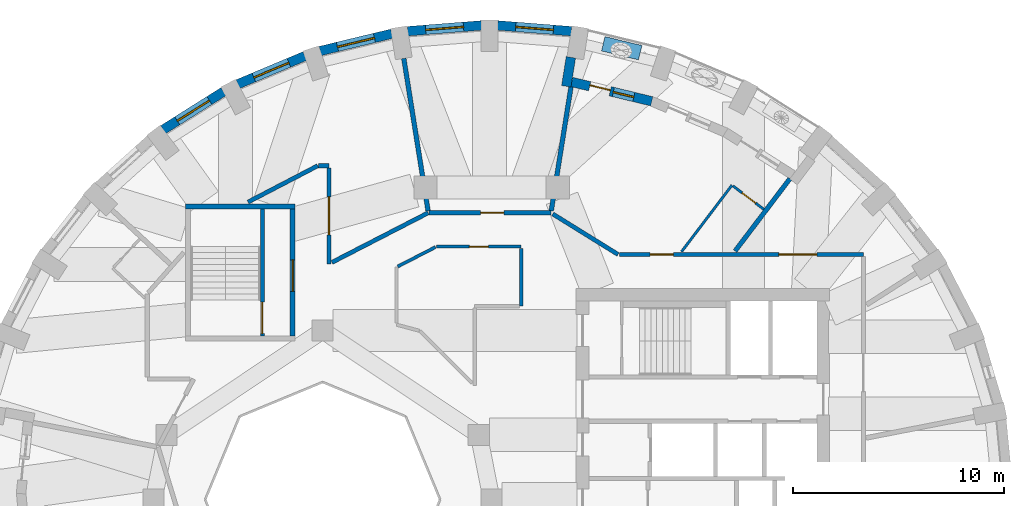
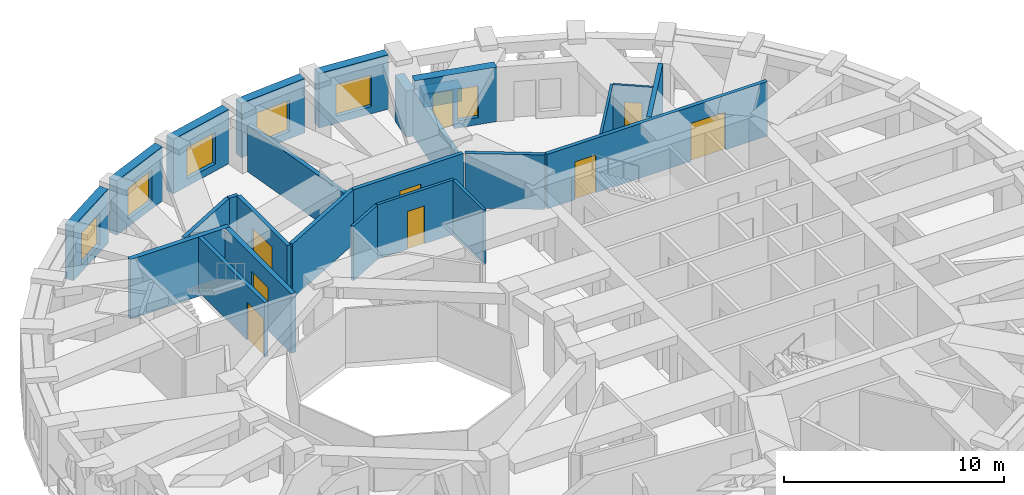
# One storey, part 7 of 12: 26 walls, 9 doors, 6 windows, 15 openings.
"""IFC4 building model written with IfcOpenShell, lengths in metres."""

from ifc_helpers import new_model, si_unit, direction, frame, frame_2d, origin, place, context, subcontext, project, spatial, rectangle, extrude, material, layer, layer_set, constituent, constituent_set, type_object, element, fill, save


model = new_model("IFC4")

# Units and contexts
model_context = context("Model", 3, precision=1e-05, world=origin(), true_north=direction((0.0, 1.0)))
body_context = subcontext(model_context, "Body", "Model", "MODEL_VIEW")
ifc_project = project(units=[si_unit("LENGTHUNIT", "METRE"), si_unit("AREAUNIT", "SQUARE_METRE"), si_unit("VOLUMEUNIT", "CUBIC_METRE"), si_unit("PLANEANGLEUNIT", "RADIAN"), si_unit("MASSUNIT", "GRAM", prefix="KILO")], contexts=[model_context])

# Site, building, storey
site_placement = place(None, origin())
site = spatial("IfcSite", under=ifc_project, at=site_placement, CompositionType="ELEMENT")
building_placement = place(site_placement, origin())
building = spatial("IfcBuilding", under=site, at=building_placement, Name="Taillehof Tower", CompositionType="ELEMENT")
storey_placement = place(building_placement, frame((0.0, 0.0, 239.89990234375)))
storey = spatial("IfcBuildingStorey", under=building, at=storey_placement, Name="L68", CompositionType="ELEMENT", Elevation=239.89990234375)

# Wall, opening, window
ifc_material_1 = material(Name="Brick masonry", Category="masonry")
ifc_layer_1 = layer(ifc_material_1, 0.449951171875)
ifc_layer_set_1 = layer_set([ifc_layer_1], Name="Brick infill wall 450")
wall_type_1 = type_object("IfcWallType", Name="Brick infill wall 450", PredefinedType="SOLIDWALL", material=ifc_layer_set_1)
wall_1_placement = place(storey_placement, frame((3.778564453125, 22.168701171875, 0.0), z_axis=(0.0, 0.0, 1.0), x_axis=(-0.996910775835, 0.078542377245, 0.0)))
wall_1 = element("IfcWall", 1, at=wall_1_placement, inside=storey, type_object=wall_type_1, Name="Brick wall L68 bay 9", PredefinedType="SOLIDWALL", context=body_context, shape_type="SweptSolid", body=[
    extrude(rectangle(XDim=3.50927734375, YDim=0.449951171875, at=frame_2d((1.754638671875, 0.0))), origin(), (0.0, 0.0, 1.0), 3.02001953125),
])
opening_1_placement = place(wall_1_placement, frame((0.854736328125, 0.0, 0.39990234375)))
opening_1 = element("IfcOpeningElement", 2, at=opening_1_placement, cuts=wall_1, Name="Opening W4", PredefinedType="OPENING", context=body_context, shape_type="SweptSolid", body=[
    extrude(rectangle(XDim=1.800048828125, YDim=1.75, at=frame_2d((0.89990234375, 0.875))), frame((0.0, 0.23486328125, 0.0), z_axis=(0.0, -1.0, 0.0), x_axis=(1.0, 0.0, 0.0)), (0.0, 0.0, 1.0), 0.469970703125),
])
ifc_material_2 = material(Name="Aluminium window frame with clear double glazing", Category="aluminium")
window_type_1 = type_object("IfcWindowType", Name="Deep-set window 1800x1750", PartitioningType="SINGLE_PANEL", PredefinedType="WINDOW", material=ifc_material_2)
window_1_placement = place(opening_1_placement, origin())
window_1 = element("IfcWindow", 3, at=window_1_placement, inside=storey, type_object=window_type_1, Name="W4", OverallHeight=1.75, OverallWidth=1.800048828125, PartitioningType="SINGLE_PANEL", PredefinedType="WINDOW", context=body_context, shape_type="SweptSolid", body=[
    extrude(rectangle(XDim=1.800048828125, YDim=1.75, at=frame_2d((0.89990234375, 0.875))), frame((0.0, 0.034912109375, 0.0), z_axis=(0.0, -1.0, 0.0), x_axis=(1.0, 0.0, 0.0)), (0.0, 0.0, 1.0), 0.06005859375),
])
fill(opening_1, window_1)

wall_2_placement = place(storey_placement, frame((-0.47998046875, 22.4443359375, 0.0), z_axis=(0.0, 0.0, 1.0), x_axis=(-0.996910775835, -0.078542377245, 0.0)))
wall_2 = element("IfcWall", 4, at=wall_2_placement, inside=storey, type_object=wall_type_1, Name="Brick wall L68 bay 10", PredefinedType="SOLIDWALL", context=body_context, shape_type="SweptSolid", body=[
    extrude(rectangle(XDim=3.50927734375, YDim=0.449951171875, at=frame_2d((1.754638671875, 0.0))), origin(), (0.0, 0.0, 1.0), 3.02001953125),
])
opening_2_placement = place(wall_2_placement, frame((0.854736328125, 0.0, 0.39990234375)))
opening_2 = element("IfcOpeningElement", 5, at=opening_2_placement, cuts=wall_2, Name="Opening W4", PredefinedType="OPENING", context=body_context, shape_type="SweptSolid", body=[
    extrude(rectangle(XDim=1.800048828125, YDim=1.75, at=frame_2d((0.89990234375, 0.875))), frame((0.0, 0.23486328125, 0.0), z_axis=(0.0, -1.0, 0.0), x_axis=(1.0, 0.0, 0.0)), (0.0, 0.0, 1.0), 0.469970703125),
])
window_2_placement = place(opening_2_placement, origin())
window_2 = element("IfcWindow", 6, at=window_2_placement, inside=storey, type_object=window_type_1, Name="W4", OverallHeight=1.75, OverallWidth=1.800048828125, PartitioningType="SINGLE_PANEL", PredefinedType="WINDOW", context=body_context, shape_type="SweptSolid", body=[
    extrude(rectangle(XDim=1.800048828125, YDim=1.75, at=frame_2d((0.89990234375, 0.875))), frame((0.0, 0.034912109375, 0.0), z_axis=(0.0, -1.0, 0.0), x_axis=(1.0, 0.0, 0.0)), (0.0, 0.0, 1.0), 0.06005859375),
])
fill(opening_2, window_2)

wall_3_placement = place(storey_placement, frame((-4.729248046875, 22.049560546875, 0.0), z_axis=(0.0, 0.0, 1.0), x_axis=(-0.972099278496, -0.23456980357, 0.0)))
wall_3 = element("IfcWall", 7, at=wall_3_placement, inside=storey, type_object=wall_type_1, Name="Brick wall L68 bay 11", PredefinedType="SOLIDWALL", context=body_context, shape_type="SweptSolid", body=[
    extrude(rectangle(XDim=3.486572265625, YDim=0.449951171875, at=frame_2d((1.7431640625, 0.0))), origin(), (0.0, 0.0, 1.0), 3.02001953125),
])
opening_3_placement = place(wall_3_placement, frame((0.84326171875, 0.0, 0.39990234375)))
opening_3 = element("IfcOpeningElement", 8, at=opening_3_placement, cuts=wall_3, Name="Opening W4", PredefinedType="OPENING", context=body_context, shape_type="SweptSolid", body=[
    extrude(rectangle(XDim=1.800048828125, YDim=1.75, at=frame_2d((0.89990234375, 0.875))), frame((0.0, 0.23486328125, 0.0), z_axis=(0.0, -1.0, 0.0), x_axis=(1.0, 0.0, 0.0)), (0.0, 0.0, 1.0), 0.469970703125),
])
window_3_placement = place(opening_3_placement, origin())
window_3 = element("IfcWindow", 9, at=window_3_placement, inside=storey, type_object=window_type_1, Name="W4", OverallHeight=1.75, OverallWidth=1.800048828125, PartitioningType="SINGLE_PANEL", PredefinedType="WINDOW", context=body_context, shape_type="SweptSolid", body=[
    extrude(rectangle(XDim=1.800048828125, YDim=1.75, at=frame_2d((0.89990234375, 0.875))), frame((0.0, 0.034912109375, 0.0), z_axis=(0.0, -1.0, 0.0), x_axis=(1.0, 0.0, 0.0)), (0.0, 0.0, 1.0), 0.06005859375),
])
fill(opening_3, window_3)

wall_4_placement = place(storey_placement, frame((-8.8408203125, 20.994873046875, 0.0), z_axis=(0.0, 0.0, 1.0), x_axis=(-0.922024627475, -0.387131226239, 0.0)))
wall_4 = element("IfcWall", 10, at=wall_4_placement, inside=storey, type_object=wall_type_1, Name="Brick wall L68 bay 12", PredefinedType="SOLIDWALL", context=body_context, shape_type="SweptSolid", body=[
    extrude(rectangle(XDim=3.443359375, YDim=0.449951171875, at=frame_2d((1.7216796875, 0.0))), origin(), (0.0, 0.0, 1.0), 3.02001953125),
])
opening_4_placement = place(wall_4_placement, frame((0.82177734375, 0.0, 0.39990234375)))
opening_4 = element("IfcOpeningElement", 11, at=opening_4_placement, cuts=wall_4, Name="Opening W4", PredefinedType="OPENING", context=body_context, shape_type="SweptSolid", body=[
    extrude(rectangle(XDim=1.800048828125, YDim=1.75, at=frame_2d((0.89990234375, 0.875))), frame((0.0, 0.23486328125, 0.0), z_axis=(0.0, -1.0, 0.0), x_axis=(1.0, 0.0, 0.0)), (0.0, 0.0, 1.0), 0.469970703125),
])
window_4_placement = place(opening_4_placement, origin())
window_4 = element("IfcWindow", 12, at=window_4_placement, inside=storey, type_object=window_type_1, Name="W4", OverallHeight=1.75, OverallWidth=1.800048828125, PartitioningType="SINGLE_PANEL", PredefinedType="WINDOW", context=body_context, shape_type="SweptSolid", body=[
    extrude(rectangle(XDim=1.800048828125, YDim=1.75, at=frame_2d((0.89990234375, 0.875))), frame((0.0, 0.034912109375, 0.0), z_axis=(0.0, -1.0, 0.0), x_axis=(1.0, 0.0, 0.0)), (0.0, 0.0, 1.0), 0.06005859375),
])
fill(opening_4, window_4)

wall_5_placement = place(storey_placement, frame((-12.68994140625, 19.31103515625, 0.0), z_axis=(0.0, 0.0, 1.0), x_axis=(-0.845929139811, -0.53329531258, 0.0)))
wall_5 = element("IfcWall", 13, at=wall_5_placement, inside=storey, type_object=wall_type_1, Name="Brick wall L68 bay 13", PredefinedType="SOLIDWALL", context=body_context, shape_type="SweptSolid", body=[
    extrude(rectangle(XDim=3.384521484375, YDim=0.449951171875, at=frame_2d((1.6923828125, 0.0))), origin(), (0.0, 0.0, 1.0), 3.02001953125),
])
opening_5_placement = place(wall_5_placement, frame((0.792236328125, 0.0, 0.39990234375)))
opening_5 = element("IfcOpeningElement", 14, at=opening_5_placement, cuts=wall_5, Name="Opening W4", PredefinedType="OPENING", context=body_context, shape_type="SweptSolid", body=[
    extrude(rectangle(XDim=1.800048828125, YDim=1.75, at=frame_2d((0.89990234375, 0.875))), frame((0.0, 0.23486328125, 0.0), z_axis=(0.0, -1.0, 0.0), x_axis=(1.0, 0.0, 0.0)), (0.0, 0.0, 1.0), 0.469970703125),
])
window_5_placement = place(opening_5_placement, origin())
window_5 = element("IfcWindow", 15, at=window_5_placement, inside=storey, type_object=window_type_1, Name="W4", OverallHeight=1.75, OverallWidth=1.800048828125, PartitioningType="SINGLE_PANEL", PredefinedType="WINDOW", context=body_context, shape_type="SweptSolid", body=[
    extrude(rectangle(XDim=1.800048828125, YDim=1.75, at=frame_2d((0.89990234375, 0.875))), frame((0.0, 0.034912109375, 0.0), z_axis=(0.0, -1.0, 0.0), x_axis=(1.0, 0.0, 0.0)), (0.0, 0.0, 1.0), 0.06005859375),
])
fill(opening_5, window_5)

# Wall
wall_6_placement = place(storey_placement, frame((3.75146484375, 20.93359375, 0.0), z_axis=(0.0, 0.0, 1.0), x_axis=(-0.157189016474, -0.9875685359, 0.0)))
element("IfcWall", 16, at=wall_6_placement, inside=storey, type_object=wall_type_1, Name="Brick reveal L68 pocket 1", PredefinedType="SOLIDWALL", context=body_context, shape_type="SweptSolid", body=[
    extrude(rectangle(XDim=1.39013671875, YDim=0.449951171875, at=frame_2d((0.695068359375, 0.0))), origin(), (0.0, 0.0, 1.0), 2.570068359375),
])

# Wall, openings, door, window
wall_7_placement = place(storey_placement, frame((7.57958984375, 18.8505859375, 0.0), z_axis=(0.0, 0.0, 1.0), x_axis=(-0.97195784986, 0.235155136231, 0.0)))
wall_7 = element("IfcWall", 17, at=wall_7_placement, inside=storey, type_object=wall_type_1, Name="Brick wall L68 pocket bay 8", PredefinedType="SOLIDWALL", context=body_context, shape_type="SweptSolid", body=[
    extrude(rectangle(XDim=3.895263671875, YDim=0.449951171875, at=frame_2d((1.94775390625, 0.0))), origin(), (0.0, 0.0, 1.0), 3.02001953125),
])
opening_6_placement = place(wall_7_placement, frame((0.872802734375, 0.0, 0.39990234375)))
opening_6 = element("IfcOpeningElement", 18, at=opening_6_placement, cuts=wall_7, Name="Opening W5", PredefinedType="OPENING", context=body_context, shape_type="SweptSolid", body=[
    extrude(rectangle(XDim=1.0, YDim=1.75, at=frame_2d((0.5, 0.875))), frame((0.0, 0.23486328125, 0.0), z_axis=(0.0, -1.0, 0.0), x_axis=(1.0, 0.0, 0.0)), (0.0, 0.0, 1.0), 0.469970703125),
])
opening_7_placement = place(wall_7_placement, frame((2.022705078125, 0.0, 0.0)))
opening_7 = element("IfcOpeningElement", 19, at=opening_7_placement, cuts=wall_7, Name="Opening D6896", PredefinedType="OPENING", context=body_context, shape_type="SweptSolid", body=[
    extrude(rectangle(XDim=1.0, YDim=2.14990234375, at=frame_2d((0.5, 1.074951171875))), frame((0.0, 0.23486328125, 0.0), z_axis=(0.0, -1.0, 0.0), x_axis=(1.0, 0.0, 0.0)), (0.0, 0.0, 1.0), 0.469970703125),
])
ifc_material_3 = material(Name="Aluminium door frame with clear double glazing", Category="aluminium")
door_type_1 = type_object("IfcDoorType", Name="Balcony door 1000x2150", OperationType="SINGLE_SWING_RIGHT", PredefinedType="DOOR", material=ifc_material_3)
door_1_placement = place(opening_7_placement, frame((1.0, 0.0, 0.0), z_axis=(0.0, 0.0, 1.0), x_axis=(-1.0, 0.0, 0.0)))
door_1 = element("IfcDoor", 20, at=door_1_placement, inside=storey, type_object=door_type_1, Name="Balcony door L68 bay 8", OperationType="SINGLE_SWING_LEFT", OverallHeight=2.14990234375, OverallWidth=1.0, PredefinedType="DOOR", context=body_context, shape_type="SweptSolid", body=[
    extrude(rectangle(XDim=1.0, YDim=2.14990234375, at=frame_2d((0.5, 1.074951171875))), frame((0.0, 0.0751953125, 0.0), z_axis=(0.0, -1.0, 0.0), x_axis=(1.0, 0.0, 0.0)), (0.0, 0.0, 1.0), 0.050048828125),
])
fill(opening_7, door_1)
ifc_material_4 = material(Name="Aluminium window frame with clear double glazing", Category="aluminium")
window_type_2 = type_object("IfcWindowType", Name="Fixed window 1000x1750", PartitioningType="SINGLE_PANEL", PredefinedType="WINDOW", material=ifc_material_4)
window_6_placement = place(opening_6_placement, origin())
window_6 = element("IfcWindow", 21, at=window_6_placement, inside=storey, type_object=window_type_2, Name="W5", OverallHeight=1.75, OverallWidth=1.0, PartitioningType="SINGLE_PANEL", PredefinedType="WINDOW", context=body_context, shape_type="SweptSolid", body=[
    extrude(rectangle(XDim=1.0, YDim=1.75, at=frame_2d((0.5, 0.875))), frame((0.0, 0.034912109375, 0.0), z_axis=(0.0, -1.0, 0.0), x_axis=(1.0, 0.0, 0.0)), (0.0, 0.0, 1.0), 0.06005859375),
])
fill(opening_6, window_6)

# Walls
ifc_material_5 = material(Name="Gypsum board on steel studs, two layers each side", Category="steel")
ifc_layer_2 = layer(ifc_material_5, 0.199951171875)
ifc_layer_set_2 = layer_set([ifc_layer_2], Name="Compartment wall corridor 200")
wall_type_2 = type_object("IfcWallType", Name="Compartment wall corridor 200", PredefinedType="PARTITIONING", material=ifc_layer_set_2)
wall_8_placement = place(storey_placement, frame((-11.53369140625, 14.080810546875, 0.0), z_axis=(0.0, 0.0, 1.0), x_axis=(0.886975089277, 0.461817270143, 0.0)))
element("IfcWall", 22, at=wall_8_placement, inside=storey, type_object=wall_type_2, Name="Compartment wall", PredefinedType="PARTITIONING", context=body_context, shape_type="SweptSolid", body=[
    extrude(rectangle(XDim=3.72265625, YDim=0.199951171875, at=frame_2d((1.861328125, 0.0))), origin(), (0.0, 0.0, 1.0), 3.02001953125),
])
wall_9_placement = place(storey_placement, frame((-8.191650390625, 15.800048828125, 0.0), z_axis=(0.0, 0.0, 1.0), x_axis=(1.0, 0.0, 0.0)))
element("IfcWall", 23, at=wall_9_placement, inside=storey, type_object=wall_type_2, Name="Compartment wall", PredefinedType="PARTITIONING", context=body_context, shape_type="SweptSolid", body=[
    extrude(rectangle(XDim=0.49169921875, YDim=0.199951171875, at=frame_2d((0.245849609375, 0.0))), origin(), (0.0, 0.0, 1.0), 3.02001953125),
])

# Wall, opening, door
wall_10_placement = place(storey_placement, frame((-7.699951171875, 15.699951171875, 0.0), z_axis=(0.0, 0.0, 1.0), x_axis=(0.0, -1.0, 0.0)))
wall_10 = element("IfcWall", 24, at=wall_10_placement, inside=storey, type_object=wall_type_2, Name="Compartment wall", PredefinedType="PARTITIONING", context=body_context, shape_type="SweptSolid", body=[
    extrude(rectangle(XDim=4.546875, YDim=0.199951171875, at=frame_2d((2.2734375, 0.0))), origin(), (0.0, 0.0, 1.0), 3.02001953125),
])
opening_8_placement = place(wall_10_placement, frame((1.37353515625, 0.0, 0.0)))
opening_8 = element("IfcOpeningElement", 25, at=opening_8_placement, cuts=wall_10, Name="Opening D6843", PredefinedType="OPENING", context=body_context, shape_type="SweptSolid", body=[
    extrude(rectangle(XDim=1.800048828125, YDim=2.10009765625, at=frame_2d((0.89990234375, 1.050048828125))), frame((0.0, 0.10986328125, 0.0), z_axis=(0.0, -1.0, 0.0), x_axis=(1.0, 0.0, 0.0)), (0.0, 0.0, 1.0), 0.219970703125),
])
ifc_material_6 = material(Name="Timber door leaf in steel frame", Category="steel")
door_type_2 = type_object("IfcDoorType", Name="Lounge and meeting room double door EI 30 1800 x 2100", OperationType="SINGLE_SWING_LEFT", PredefinedType="DOOR", material=ifc_material_6)
door_2_placement = place(opening_8_placement, origin())
door_2 = element("IfcDoor", 26, at=door_2_placement, inside=storey, type_object=door_type_2, Name="D6843", OperationType="DOUBLE_DOOR_SINGLE_SWING", OverallHeight=2.10009765625, OverallWidth=1.800048828125, PredefinedType="DOOR", context=body_context, shape_type="SweptSolid", body=[
    extrude(rectangle(XDim=1.800048828125, YDim=2.10009765625, at=frame_2d((0.89990234375, 1.050048828125))), frame((0.0, 0.02490234375, 0.0), z_axis=(0.0, -1.0, 0.0), x_axis=(1.0, 0.0, 0.0)), (0.0, 0.0, 1.0), 0.050048828125),
])
fill(opening_8, door_2)

# Wall
wall_11_placement = place(storey_placement, frame((-7.557373046875, 11.227294921875, 0.0), z_axis=(0.0, 0.0, 1.0), x_axis=(0.889060449642, 0.457789817364, 0.0)))
element("IfcWall", 27, at=wall_11_placement, inside=storey, type_object=wall_type_2, Name="Compartment wall", PredefinedType="PARTITIONING", context=body_context, shape_type="SweptSolid", body=[
    extrude(rectangle(XDim=5.11865234375, YDim=0.199951171875, at=frame_2d((2.559326171875, 0.0))), origin(), (0.0, 0.0, 1.0), 3.02001953125),
])

# Wall, opening, door
wall_12_placement = place(storey_placement, frame((-2.966552734375, 13.570556640625, 0.0), z_axis=(0.0, 0.0, 1.0), x_axis=(1.0, 0.0, 0.0)))
wall_12 = element("IfcWall", 28, at=wall_12_placement, inside=storey, type_object=wall_type_2, Name="Compartment wall", PredefinedType="PARTITIONING", context=body_context, shape_type="SweptSolid", body=[
    extrude(rectangle(XDim=5.773193359375, YDim=0.199951171875, at=frame_2d((2.88671875, 0.0))), origin(), (0.0, 0.0, 1.0), 3.02001953125),
])
opening_9_placement = place(wall_12_placement, frame((2.441162109375, 0.0, 0.0)))
opening_9 = element("IfcOpeningElement", 29, at=opening_9_placement, cuts=wall_12, Name="Opening D6842", PredefinedType="OPENING", context=body_context, shape_type="SweptSolid", body=[
    extrude(rectangle(XDim=1.10009765625, YDim=2.10009765625, at=frame_2d((0.550048828125, 1.050048828125))), frame((0.0, 0.10986328125, 0.0), z_axis=(0.0, -1.0, 0.0), x_axis=(1.0, 0.0, 0.0)), (0.0, 0.0, 1.0), 0.219970703125),
])
ifc_material_7 = material(Name="Timber door leaf in steel frame", Category="steel")
door_type_3 = type_object("IfcDoorType", Name="Suite entrance door EI 30 1100 x 2100", OperationType="SINGLE_SWING_LEFT", PredefinedType="DOOR", material=ifc_material_7)
door_3_placement = place(opening_9_placement, origin())
door_3 = element("IfcDoor", 30, at=door_3_placement, inside=storey, type_object=door_type_3, Name="D6842", OperationType="SINGLE_SWING_RIGHT", OverallHeight=2.10009765625, OverallWidth=1.10009765625, PredefinedType="DOOR", context=body_context, shape_type="SweptSolid", body=[
    extrude(rectangle(XDim=1.10009765625, YDim=2.10009765625, at=frame_2d((0.550048828125, 1.050048828125))), frame((0.0, 0.02490234375, 0.0), z_axis=(0.0, -1.0, 0.0), x_axis=(1.0, 0.0, 0.0)), (0.0, 0.0, 1.0), 0.050048828125),
])
fill(opening_9, door_3)

# Wall
wall_13_placement = place(storey_placement, frame((2.89208984375, 13.51806640625, 0.0), z_axis=(0.0, 0.0, 1.0), x_axis=(0.849866037624, -0.526998783769, 0.0)))
element("IfcWall", 31, at=wall_13_placement, inside=storey, type_object=wall_type_2, Name="Compartment wall", PredefinedType="PARTITIONING", context=body_context, shape_type="SweptSolid", body=[
    extrude(rectangle(XDim=3.639404296875, YDim=0.199951171875, at=frame_2d((1.81982421875, 0.0))), origin(), (0.0, 0.0, 1.0), 3.02001953125),
])

# Wall, openings, doors
wall_14_placement = place(storey_placement, frame((6.045166015625, 11.60009765625, 0.0), z_axis=(0.0, 0.0, 1.0), x_axis=(1.0, 0.0, 0.0)))
wall_14 = element("IfcWall", 32, at=wall_14_placement, inside=storey, type_object=wall_type_2, Name="Compartment wall", PredefinedType="PARTITIONING", context=body_context, shape_type="SweptSolid", body=[
    extrude(rectangle(XDim=11.554931640625, YDim=0.199951171875, at=frame_2d((5.77734375, 0.0))), origin(), (0.0, 0.0, 1.0), 3.02001953125),
])
opening_10_placement = place(wall_14_placement, frame((1.4609375, 0.0, 0.0)))
opening_10 = element("IfcOpeningElement", 33, at=opening_10_placement, cuts=wall_14, Name="Opening D6840", PredefinedType="OPENING", context=body_context, shape_type="SweptSolid", body=[
    extrude(rectangle(XDim=1.10009765625, YDim=2.10009765625, at=frame_2d((0.550048828125, 1.050048828125))), frame((0.0, 0.10986328125, 0.0), z_axis=(0.0, -1.0, 0.0), x_axis=(1.0, 0.0, 0.0)), (0.0, 0.0, 1.0), 0.219970703125),
])
opening_11_placement = place(wall_14_placement, frame((7.548828125, 0.0, 0.0)))
opening_11 = element("IfcOpeningElement", 34, at=opening_11_placement, cuts=wall_14, Name="Opening D6857", PredefinedType="OPENING", context=body_context, shape_type="SweptSolid", body=[
    extrude(rectangle(XDim=1.800048828125, YDim=2.10009765625, at=frame_2d((0.89990234375, 1.050048828125))), frame((0.0, 0.10986328125, 0.0), z_axis=(0.0, -1.0, 0.0), x_axis=(1.0, 0.0, 0.0)), (0.0, 0.0, 1.0), 0.219970703125),
])
door_4_placement = place(opening_11_placement, origin())
door_4 = element("IfcDoor", 35, at=door_4_placement, inside=storey, type_object=door_type_2, Name="D6857", OperationType="DOUBLE_DOOR_SINGLE_SWING", OverallHeight=2.10009765625, OverallWidth=1.800048828125, PredefinedType="DOOR", context=body_context, shape_type="SweptSolid", body=[
    extrude(rectangle(XDim=1.800048828125, YDim=2.10009765625, at=frame_2d((0.89990234375, 1.050048828125))), frame((0.0, 0.02490234375, 0.0), z_axis=(0.0, -1.0, 0.0), x_axis=(1.0, 0.0, 0.0)), (0.0, 0.0, 1.0), 0.050048828125),
])
fill(opening_11, door_4)
door_5_placement = place(opening_10_placement, origin())
door_5 = element("IfcDoor", 36, at=door_5_placement, inside=storey, type_object=door_type_3, Name="D6840", OperationType="SINGLE_SWING_RIGHT", OverallHeight=2.10009765625, OverallWidth=1.10009765625, PredefinedType="DOOR", context=body_context, shape_type="SweptSolid", body=[
    extrude(rectangle(XDim=1.10009765625, YDim=2.10009765625, at=frame_2d((0.550048828125, 1.050048828125))), frame((0.0, 0.02490234375, 0.0), z_axis=(0.0, -1.0, 0.0), x_axis=(1.0, 0.0, 0.0)), (0.0, 0.0, 1.0), 0.050048828125),
])
fill(opening_10, door_5)

# Walls
ifc_material_8 = material(Name="Gypsum board on double steel studs with mineral wool", Category="steel")
ifc_layer_3 = layer(ifc_material_8, 0.219970703125)
ifc_layer_set_3 = layer_set([ifc_layer_3], Name="Compartment wall guest room 220")
wall_type_3 = type_object("IfcWallType", Name="Compartment wall guest room 220", PredefinedType="PARTITIONING", material=ifc_layer_set_3)
wall_15_placement = place(storey_placement, frame((14.11865234375, 15.186767578125, 0.0), z_axis=(0.0, 0.0, 1.0), x_axis=(-0.604075434344, -0.796927141978, 0.0)))
element("IfcWall", 37, at=wall_15_placement, inside=storey, type_object=wall_type_3, Name="Compartment wall", PredefinedType="PARTITIONING", context=body_context, shape_type="SweptSolid", body=[
    extrude(rectangle(XDim=4.29541015625, YDim=0.219970703125, at=frame_2d((2.147705078125, 0.0))), origin(), (0.0, 0.0, 1.0), 3.02001953125),
])
wall_16_placement = place(storey_placement, frame((3.758056640625, 19.543701171875, 0.0), z_axis=(0.0, 0.0, 1.0), x_axis=(-0.157279717869, -0.987554094897, 0.0)))
element("IfcWall", 38, at=wall_16_placement, inside=storey, type_object=wall_type_3, Name="Compartment wall", PredefinedType="PARTITIONING", context=body_context, shape_type="SweptSolid", body=[
    extrude(rectangle(XDim=5.9482421875, YDim=0.219970703125, at=frame_2d((2.97412109375, 0.0))), origin(), (0.0, 0.0, 1.0), 2.570068359375),
])
wall_17_placement = place(storey_placement, frame((-4.158203125, 20.88037109375, 0.0), z_axis=(0.0, 0.0, 1.0), x_axis=(0.157260291638, -0.987557188559, 0.0)))
element("IfcWall", 39, at=wall_17_placement, inside=storey, type_object=wall_type_3, Name="Compartment wall", PredefinedType="PARTITIONING", context=body_context, shape_type="SweptSolid", body=[
    extrude(rectangle(XDim=7.302734375, YDim=0.219970703125, at=frame_2d((3.6513671875, 0.0))), origin(), (0.0, 0.0, 1.0), 2.570068359375),
])

# Wall, opening, door
ifc_material_9 = material(Name="Gypsum board on steel studs, two layers each side", Category="steel")
ifc_layer_4 = layer(ifc_material_9, 0.14990234375)
ifc_layer_set_4 = layer_set([ifc_layer_4], Name="Compartment wall service room 150")
wall_type_4 = type_object("IfcWallType", Name="Compartment wall service room 150", PredefinedType="PARTITIONING", material=ifc_layer_set_4)
wall_18_placement = place(storey_placement, frame((-2.618896484375, 11.970458984375, 0.0), z_axis=(0.0, 0.0, 1.0), x_axis=(1.0, 0.0, 0.0)))
wall_18 = element("IfcWall", 40, at=wall_18_placement, inside=storey, type_object=wall_type_4, Name="Compartment wall", PredefinedType="PARTITIONING", context=body_context, shape_type="SweptSolid", body=[
    extrude(rectangle(XDim=4.018798828125, YDim=0.14990234375, at=frame_2d((2.00927734375, 0.0))), origin(), (0.0, 0.0, 1.0), 3.02001953125),
])
opening_12_placement = place(wall_18_placement, frame((1.559326171875, 0.0, 0.0)))
opening_12 = element("IfcOpeningElement", 41, at=opening_12_placement, cuts=wall_18, Name="Opening D6858", PredefinedType="OPENING", context=body_context, shape_type="SweptSolid", body=[
    extrude(rectangle(XDim=0.89990234375, YDim=2.10009765625, at=frame_2d((0.449951171875, 1.050048828125))), frame((0.0, 0.0849609375, 0.0), z_axis=(0.0, -1.0, 0.0), x_axis=(1.0, 0.0, 0.0)), (0.0, 0.0, 1.0), 0.169921875),
])
ifc_material_10 = material(Name="Timber door leaf in steel frame", Category="steel")
door_type_4 = type_object("IfcDoorType", Name="Service room door EI 30 900 x 2100", OperationType="SINGLE_SWING_LEFT", PredefinedType="DOOR", material=ifc_material_10)
door_6_placement = place(opening_12_placement, origin())
door_6 = element("IfcDoor", 42, at=door_6_placement, inside=storey, type_object=door_type_4, Name="D6858", OperationType="SINGLE_SWING_RIGHT", OverallHeight=2.10009765625, OverallWidth=0.89990234375, PredefinedType="DOOR", context=body_context, shape_type="SweptSolid", body=[
    extrude(rectangle(XDim=0.89990234375, YDim=2.10009765625, at=frame_2d((0.449951171875, 1.050048828125))), frame((0.0, 0.02490234375, 0.0), z_axis=(0.0, -1.0, 0.0), x_axis=(1.0, 0.0, 0.0)), (0.0, 0.0, 1.0), 0.050048828125),
])
fill(opening_12, door_6)

# Walls
wall_19_placement = place(storey_placement, frame((1.39990234375, 11.890380859375, 0.0), z_axis=(0.0, 0.0, 1.0), x_axis=(0.0, -1.0, 0.0)))
element("IfcWall", 43, at=wall_19_placement, inside=storey, type_object=wall_type_4, Name="Compartment wall", PredefinedType="PARTITIONING", context=body_context, shape_type="SweptSolid", body=[
    extrude(rectangle(XDim=2.740478515625, YDim=0.14990234375, at=frame_2d((1.3701171875, 0.0))), origin(), (0.0, 0.0, 1.0), 3.02001953125),
])
wall_20_placement = place(storey_placement, frame((-4.446533203125, 11.029296875, 0.0), z_axis=(0.0, 0.0, 1.0), x_axis=(0.88908361723, 0.457744821459, 0.0)))
element("IfcWall", 44, at=wall_20_placement, inside=storey, type_object=wall_type_4, Name="Compartment wall", PredefinedType="PARTITIONING", context=body_context, shape_type="SweptSolid", body=[
    extrude(rectangle(XDim=2.015625, YDim=0.14990234375, at=frame_2d((1.0078125, 0.0))), origin(), (0.0, 0.0, 1.0), 3.02001953125),
])
ifc_material_11 = material(Name="Gypsum board on steel studs, moisture resistant", Category="steel")
ifc_layer_5 = layer(ifc_material_11, 0.1201171875)
ifc_layer_set_5 = layer_set([ifc_layer_5], Name="En-suite wall 120")
wall_type_5 = type_object("IfcWallType", Name="En-suite wall 120", PredefinedType="PARTITIONING", material=ifc_layer_set_5)
wall_21_placement = place(storey_placement, frame((8.990478515625, 11.73193359375, 0.0), z_axis=(0.0, 0.0, 1.0), x_axis=(0.604075378366, 0.79692718441, 0.0)))
element("IfcWall", 45, at=wall_21_placement, inside=storey, type_object=wall_type_5, Name="En-suite wall", PredefinedType="PARTITIONING", context=body_context, shape_type="SweptSolid", body=[
    extrude(rectangle(XDim=3.950927734375, YDim=0.1201171875, at=frame_2d((1.9755859375, 0.0))), origin(), (0.0, 0.0, 1.0), 3.02001953125),
])

# Wall, opening, door
wall_22_placement = place(storey_placement, frame((11.425048828125, 14.844482421875, 0.0), z_axis=(0.0, 0.0, 1.0), x_axis=(0.796899454755, -0.604111959004, 0.0)))
wall_22 = element("IfcWall", 46, at=wall_22_placement, inside=storey, type_object=wall_type_5, Name="En-suite wall", PredefinedType="PARTITIONING", context=body_context, shape_type="SweptSolid", body=[
    extrude(rectangle(XDim=1.829833984375, YDim=0.1201171875, at=frame_2d((0.9150390625, 0.0))), origin(), (0.0, 0.0, 1.0), 3.02001953125),
])
opening_13_placement = place(wall_22_placement, frame((0.5400390625, 0.0, 0.0)))
opening_13 = element("IfcOpeningElement", 47, at=opening_13_placement, cuts=wall_22, Name="Opening D6841", PredefinedType="OPENING", context=body_context, shape_type="SweptSolid", body=[
    extrude(rectangle(XDim=0.800048828125, YDim=2.10009765625, at=frame_2d((0.39990234375, 1.050048828125))), frame((0.0, 0.070068359375, 0.0), z_axis=(0.0, -1.0, 0.0), x_axis=(1.0, 0.0, 0.0)), (0.0, 0.0, 1.0), 0.14013671875),
])
ifc_material_12 = material(Name="Timber door leaf in steel frame", Category="steel")
door_type_5 = type_object("IfcDoorType", Name="En-suite door 800 x 2100", OperationType="SINGLE_SWING_LEFT", PredefinedType="DOOR", material=ifc_material_12)
door_7_placement = place(opening_13_placement, origin())
door_7 = element("IfcDoor", 48, at=door_7_placement, inside=storey, type_object=door_type_5, Name="D6841", OperationType="SINGLE_SWING_RIGHT", OverallHeight=2.10009765625, OverallWidth=0.800048828125, PredefinedType="DOOR", context=body_context, shape_type="SweptSolid", body=[
    extrude(rectangle(XDim=0.800048828125, YDim=2.10009765625, at=frame_2d((0.39990234375, 1.050048828125))), frame((0.0, 0.02490234375, 0.0), z_axis=(0.0, -1.0, 0.0), x_axis=(1.0, 0.0, 0.0)), (0.0, 0.0, 1.0), 0.050048828125),
])
fill(opening_13, door_7)

# Wall
ifc_material_13 = material(Name="Concrete C30/37 precast", Category="concrete")
ifc_constituent_1 = constituent(ifc_material_13, Name="Structure", Category="concrete")
ifc_material_14 = material(Name="Insulated lining")
ifc_constituent_2 = constituent(ifc_material_14, Name="Lining")
ifc_constituent_set = constituent_set(constituents=[ifc_constituent_1, ifc_constituent_2], Name="Planter trough 700x750")
wall_type_6 = type_object("IfcWallType", Name="Planter trough 700x750", PredefinedType="USERDEFINED", material=ifc_constituent_set)
wall_23_placement = place(storey_placement, frame((7.0322265625, 21.152587890625, 0.0), z_axis=(0.0, 0.0, 1.0), x_axis=(-0.972112071369, 0.234516781275, 0.0)))
element("IfcWall", 49, at=wall_23_placement, inside=storey, type_object=wall_type_6, Name="Planter L68 bay 8", ObjectType="PLANTER", PredefinedType="USERDEFINED", context=body_context, shape_type="SweptSolid", body=[
    extrude(rectangle(XDim=1.800048828125, YDim=0.699951171875, at=frame_2d((0.89990234375, 0.0))), origin(), (0.0, 0.0, 1.0), 0.75),
])

# Wall, opening, door
ifc_material_15 = material(Name="Concrete C50/60", Category="concrete")
ifc_layer_6 = layer(ifc_material_15, 0.199951171875)
ifc_layer_set_6 = layer_set([ifc_layer_6], Name="Shaft wall C50/60 200")
wall_type_7 = type_object("IfcWallType", Name="Shaft wall C50/60 200", PredefinedType="SHEAR", material=ifc_layer_set_6)
wall_24_placement = place(storey_placement, frame((-10.85009765625, 7.75, 0.0), z_axis=(0.0, 0.0, 1.0), x_axis=(0.0, 1.0, 0.0)))
wall_24 = element("IfcWall", 50, at=wall_24_placement, inside=storey, type_object=wall_type_7, Name="Shaft wall SW", PredefinedType="SHEAR", context=body_context, shape_type="SweptSolid", body=[
    extrude(rectangle(XDim=6.0, YDim=0.199951171875, at=frame_2d((3.0, 0.0))), origin(), (0.0, 0.0, 1.0), 3.02001953125),
])
opening_14_placement = place(wall_24_placement, frame((0.10009765625, 0.0, 0.0)))
opening_14 = element("IfcOpeningElement", 51, at=opening_14_placement, cuts=wall_24, Name="Opening D6812", PredefinedType="OPENING", context=body_context, shape_type="SweptSolid", body=[
    extrude(rectangle(XDim=1.5, YDim=2.10009765625, at=frame_2d((0.75, 1.050048828125))), frame((0.0, 0.10986328125, 0.0), z_axis=(0.0, -1.0, 0.0), x_axis=(1.0, 0.0, 0.0)), (0.0, 0.0, 1.0), 0.219970703125),
])
ifc_material_16 = material(Name="Steel-faced fire door", Category="steel")
door_type_6 = type_object("IfcDoorType", Name="Stair door 1500x2100", OperationType="DOUBLE_DOOR_SINGLE_SWING", PredefinedType="DOOR", material=ifc_material_16)
door_8_placement = place(opening_14_placement, origin())
door_8 = element("IfcDoor", 52, at=door_8_placement, inside=storey, type_object=door_type_6, Name="Stair lobby door S3", OperationType="DOUBLE_DOOR_SINGLE_SWING", OverallHeight=2.10009765625, OverallWidth=1.5, PredefinedType="DOOR", context=body_context, shape_type="SweptSolid", body=[
    extrude(rectangle(XDim=1.5, YDim=2.10009765625, at=frame_2d((0.75, 1.050048828125))), frame((0.0, 0.02490234375, 0.0), z_axis=(0.0, -1.0, 0.0), x_axis=(1.0, 0.0, 0.0)), (0.0, 0.0, 1.0), 0.050048828125),
])
fill(opening_14, door_8)

ifc_material_17 = material(Name="Concrete C50/60", Category="concrete")
ifc_layer_7 = layer(ifc_material_17, 0.25)
ifc_layer_set_7 = layer_set([ifc_layer_7], Name="Stair wall C50/60 250")
wall_type_8 = type_object("IfcWallType", Name="Stair wall C50/60 250", PredefinedType="SHEAR", material=ifc_layer_set_7)
wall_25_placement = place(storey_placement, frame((-9.425048828125, 7.75, -0.27978515625), z_axis=(0.0, 0.0, 1.0), x_axis=(0.0, 1.0, 0.0)))
wall_25 = element("IfcWall", 53, at=wall_25_placement, inside=storey, type_object=wall_type_8, Name="Stair wall SC", PredefinedType="SHEAR", context=body_context, shape_type="SweptSolid", body=[
    extrude(rectangle(XDim=6.0, YDim=0.25, at=frame_2d((3.0, 0.0))), origin(), (0.0, 0.0, 1.0), 3.2998046875),
])
opening_15_placement = place(wall_25_placement, frame((2.10009765625, 0.0, 0.280029296875)))
opening_15 = element("IfcOpeningElement", 54, at=opening_15_placement, cuts=wall_25, Name="Opening D6815", PredefinedType="OPENING", context=body_context, shape_type="SweptSolid", body=[
    extrude(rectangle(XDim=1.5, YDim=2.10009765625, at=frame_2d((0.75, 1.050048828125))), frame((0.0, 0.135009765625, 0.0), z_axis=(0.0, -1.0, 0.0), x_axis=(1.0, 0.0, 0.0)), (0.0, 0.0, 1.0), 0.27001953125),
])
door_9_placement = place(opening_15_placement, origin())
door_9 = element("IfcDoor", 55, at=door_9_placement, inside=storey, type_object=door_type_6, Name="Stair door S3", OperationType="DOUBLE_DOOR_SINGLE_SWING", OverallHeight=2.10009765625, OverallWidth=1.5, PredefinedType="DOOR", context=body_context, shape_type="SweptSolid", body=[
    extrude(rectangle(XDim=1.5, YDim=2.10009765625, at=frame_2d((0.75, 1.050048828125))), frame((0.0, 0.02490234375, 0.0), z_axis=(0.0, -1.0, 0.0), x_axis=(1.0, 0.0, 0.0)), (0.0, 0.0, 1.0), 0.050048828125),
])
fill(opening_15, door_9)

# Wall
wall_26_placement = place(storey_placement, frame((-14.5, 13.875, -0.27978515625), z_axis=(0.0, 0.0, 1.0), x_axis=(1.0, 0.0, 0.0)))
element("IfcWall", 56, at=wall_26_placement, inside=storey, type_object=wall_type_8, Name="Stair wall SC", PredefinedType="SHEAR", context=body_context, shape_type="SweptSolid", body=[
    extrude(rectangle(XDim=5.199951171875, YDim=0.25, at=frame_2d((2.60009765625, 0.0))), origin(), (0.0, 0.0, 1.0), 3.2998046875),
])

save(model, "model.ifc")
